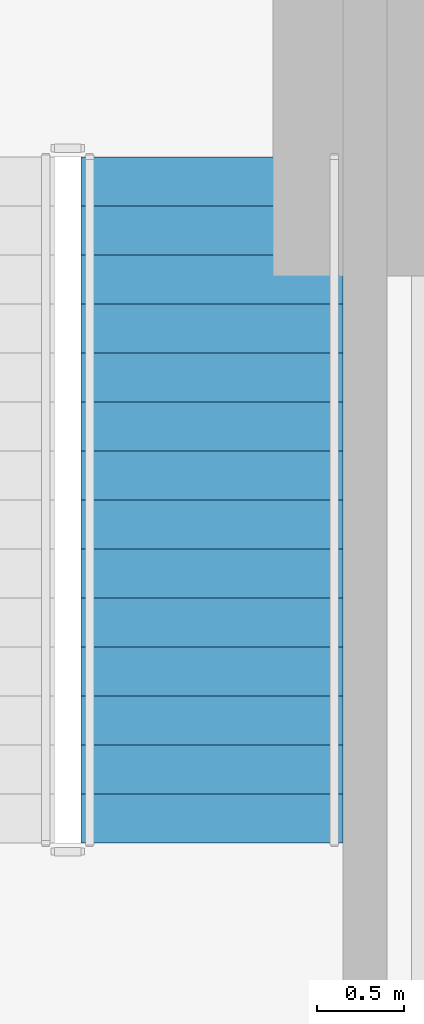
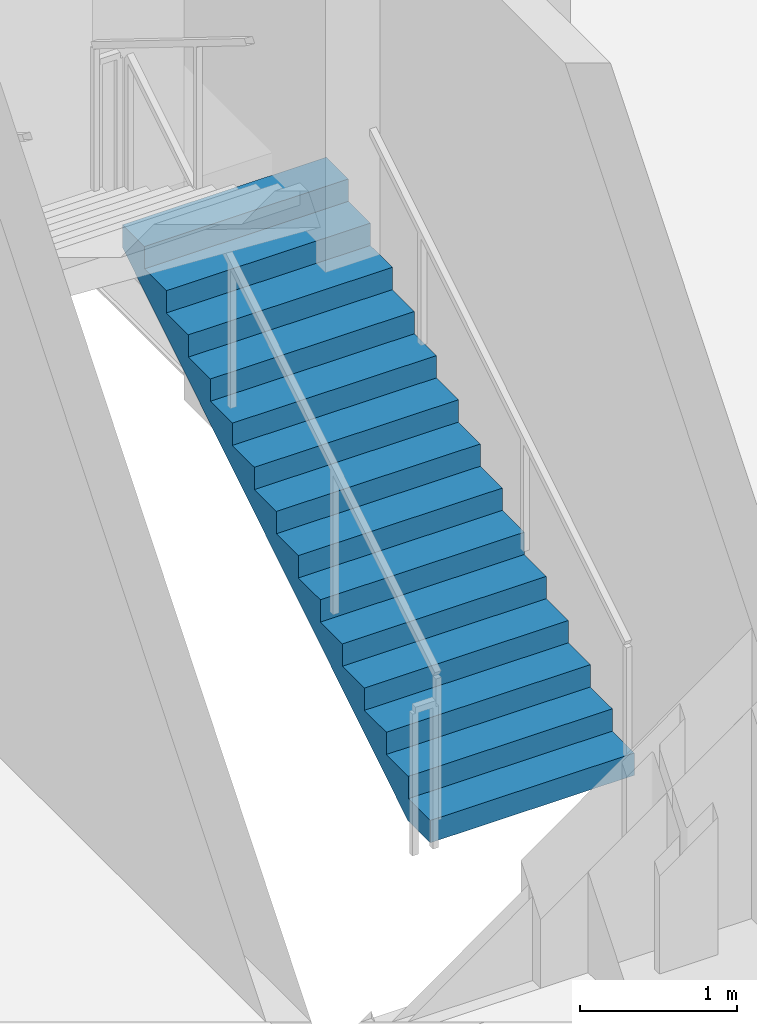
# One storey, part 10 of 13: 1 stair flight, 1 element without a shape of its own.
"""IFC4 building model written with IfcOpenShell, lengths in metres."""

from ifc_helpers import new_model, si_unit, direction, frame, origin, place, context, subcontext, project, spatial, polyline, outline, extrude, source, transform, mapped, material, type_object, element, aggregate, save


model = new_model("IFC4")

# Units and contexts
model_context = context("Model", 3, precision=1e-05, world=origin(), true_north=direction((0.0, 1.0)))
body_context = subcontext(model_context, "Body", "Model", "MODEL_VIEW")
ifc_project = project(units=[si_unit("LENGTHUNIT", "METRE"), si_unit("AREAUNIT", "SQUARE_METRE"), si_unit("VOLUMEUNIT", "CUBIC_METRE"), si_unit("PLANEANGLEUNIT", "RADIAN"), si_unit("MASSUNIT", "GRAM", prefix="KILO")], contexts=[model_context])

# Site, building, storey
site_placement = place(None, origin())
site = spatial("IfcSite", under=ifc_project, at=site_placement, CompositionType="ELEMENT")
building_placement = place(site_placement, origin())
building = spatial("IfcBuilding", under=site, at=building_placement, Name="Vardaveli Station Tower", CompositionType="ELEMENT")
storey_placement = place(building_placement, frame((0.0, 0.0, 22.39990234375)))
storey = spatial("IfcBuildingStorey", under=building, at=storey_placement, Name="L05", CompositionType="ELEMENT", Elevation=22.39990234375)

# Stair, stair flight
ifc_material = material(Name="Concrete C40/50", Category="concrete")
stair_type = type_object("IfcStairType", Name="STR-CORE-1500", PredefinedType="HALF_TURN_STAIR", material=ifc_material)
stair_placement = place(storey_placement, origin())
stair = element("IfcStair", 1, at=stair_placement, inside=storey, type_object=stair_type, Name="L05 ST-3", PredefinedType="HALF_TURN_STAIR")
stair_flight_type = type_object("IfcStairFlightType", Name="SFL-CORE-1500", PredefinedType="STRAIGHT", material=ifc_material)
shared_shape = source(origin(), body_context, "Body", "SweptSolid", [
    extrude(outline(polyline([(0.0, 0.0), (0.0, 0.17333984375), (0.280029296875, 0.17333984375), (0.280029296875, 0.3466796875), (0.56005859375, 0.3466796875), (0.56005859375, 0.52001953125), (0.840087890625, 0.52001953125), (0.840087890625, 0.693359375), (1.1201171875, 0.693359375), (1.1201171875, 0.86669921875), (1.39990234375, 0.86669921875), (1.39990234375, 1.0400390625), (1.679931640625, 1.0400390625), (1.679931640625, 1.21337890625), (1.9599609375, 1.21337890625), (1.9599609375, 1.38671875), (2.239990234375, 1.38671875), (2.239990234375, 1.56005859375), (2.52001953125, 1.56005859375), (2.52001953125, 1.7333984375), (2.800048828125, 1.7333984375), (2.800048828125, 1.90673828125), (3.080078125, 1.90673828125), (3.080078125, 2.080078125), (3.360107421875, 2.080078125), (3.360107421875, 2.25341796875), (3.639892578125, 2.25341796875), (3.639892578125, 2.4267578125), (3.919921875, 2.4267578125), (3.919921875, 2.60009765625), (3.919921875, 2.250244140625), (0.284912109375, 0.0), (0.0, 0.0)])), frame((0.0, 0.75, 0.0), z_axis=(0.0, -1.0, 0.0), x_axis=(1.0, 0.0, 0.0)), (0.0, 0.0, 1.0), 1.5),
])
stair_flight_placement = place(storey_placement, frame((46.5, 32.39990234375, 0.0), z_axis=(0.0, 0.0, 1.0), x_axis=(0.0, 1.0, 0.0)))
stair_flight = element("IfcStairFlight", 2, at=stair_flight_placement, type_object=stair_flight_type, Name="ST-3 flight 1", NumberOfRisers=15, NumberOfTreads=14, PredefinedType="STRAIGHT", RiserHeight=0.173333333, TreadLength=0.28, context=body_context, shape_type="MappedRepresentation", body=[
    mapped(shared_shape, transform((0.0, 0.0, 0.0), scale=1.0)),
])
aggregate(stair, [stair_flight])

save(model, "model.ifc")
